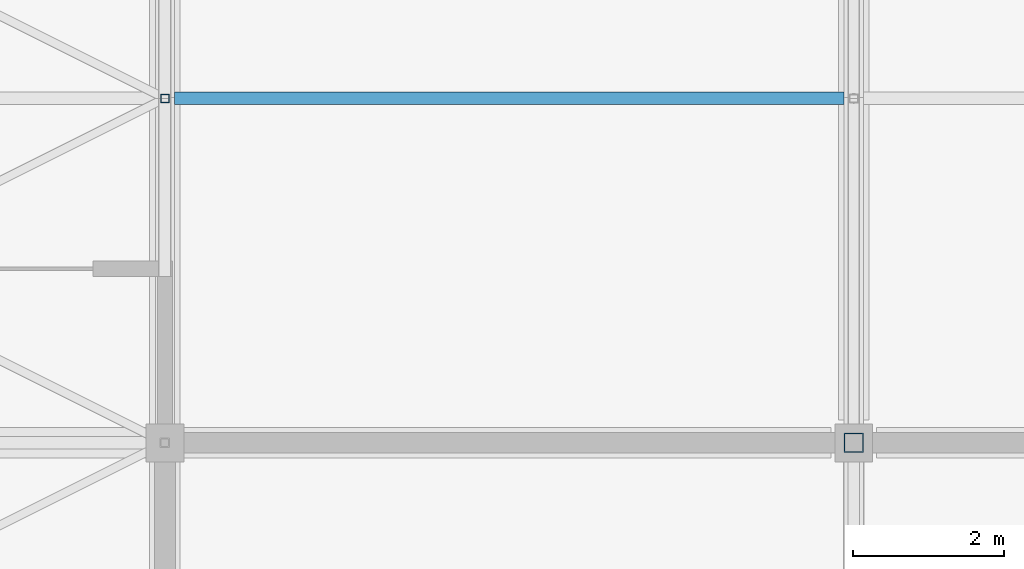
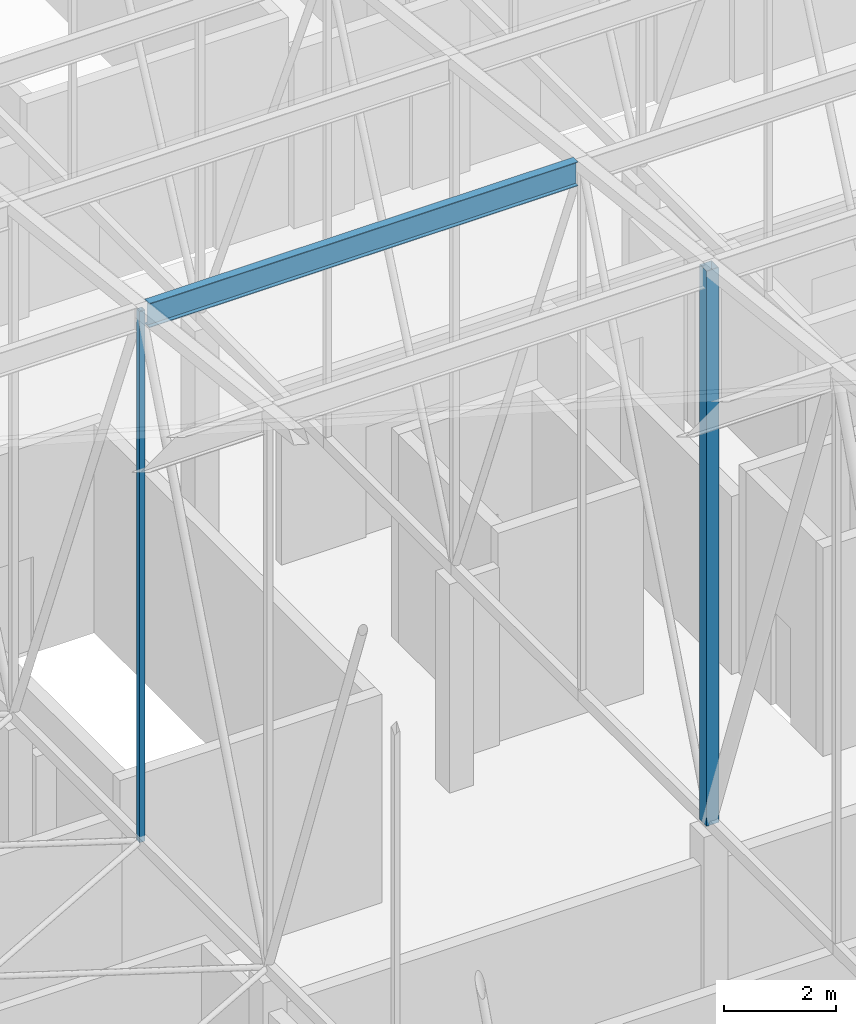
# One storey, part 185 of 500: 3 members.
"""IFC4 building model written with IfcOpenShell, lengths in metres."""

from ifc_helpers import new_model, si_unit, direction, frame, origin, origin_2d, place, context, subcontext, project, spatial, hollow_rectangle, i_section, extrude, material, material_profile, profile_set, type_object, element, save


model = new_model("IFC4")

# Units and contexts
model_context = context("Model", 3, precision=1e-05, world=origin(), true_north=direction((0.0, 1.0)))
body_context = subcontext(model_context, "Body", "Model", "MODEL_VIEW")
ifc_project = project(units=[si_unit("LENGTHUNIT", "METRE"), si_unit("AREAUNIT", "SQUARE_METRE"), si_unit("VOLUMEUNIT", "CUBIC_METRE"), si_unit("PLANEANGLEUNIT", "RADIAN"), si_unit("MASSUNIT", "GRAM", prefix="KILO")], contexts=[model_context])

# Site, building, storey
site_placement = place(None, origin())
site = spatial("IfcSite", under=ifc_project, at=site_placement, CompositionType="ELEMENT")
building_placement = place(site_placement, origin())
building = spatial("IfcBuilding", under=site, at=building_placement, Name="Shirokan Park Arena", CompositionType="ELEMENT")
storey_placement = place(building_placement, frame((0.0, 0.0, 29.1201171875)))
storey = spatial("IfcBuildingStorey", under=building, at=storey_placement, Name="L06", CompositionType="ELEMENT", Elevation=29.1201171875)

# Members
ifc_material_1 = material(Name="Steel ASTM A992", Category="steel")
ifc_material_profile_1 = material_profile(ifc_material_1, i_section(OverallWidth=0.166015625, OverallDepth=0.528076171875, WebThickness=0.009765625, FlangeThickness=0.013671875, at=origin_2d()), Name="W530X74")
ifc_profile_set_1 = profile_set([ifc_material_profile_1], Name="Steel ASTM A992")
member_type_1 = type_object("IfcMemberType", Name="Purlin W530X74", PredefinedType="PURLIN", material=ifc_profile_set_1)
member_1_placement = place(storey_placement, frame((9.22705078125, 77.35009765625, 16.1259765625), z_axis=(1.0, 0.0, 0.0), x_axis=(0.0, 1.0, 0.0)))
element("IfcMember", 1, at=member_1_placement, inside=storey, type_object=member_type_1, Name="Purlin 20 bay 2", PredefinedType="PURLIN", context=body_context, shape_type="SweptSolid", body=[
    extrude(i_section(OverallWidth=0.166015625, OverallDepth=0.528076171875, WebThickness=0.009765625, FlangeThickness=0.013671875, at=origin_2d()), origin(), (0.0, 0.0, 1.0), 8.845947265625),
])
ifc_material_2 = material(Name="Steel ASTM A500 Grade C", Category="steel")
ifc_material_profile_2 = material_profile(ifc_material_2, hollow_rectangle(XDim=0.114013671875, YDim=0.114013671875, WallThickness=0.00634765625, at=origin_2d()), Name="HSS114.3X114.3X6.4")
ifc_profile_set_2 = profile_set([ifc_material_profile_2], Name="Steel ASTM A500 Grade C")
member_type_2 = type_object("IfcMemberType", Name="Truss post HSS114.3X114.3X6.4", PredefinedType="POST", material=ifc_profile_set_2)
member_2_placement = place(storey_placement, frame((9.10009765625, 77.35009765625, 4.677001953125), z_axis=(0.0, 0.0, 1.0), x_axis=(1.0, 0.0, 0.0)))
element("IfcMember", 2, at=member_2_placement, inside=storey, type_object=member_type_2, Name="Truss T02 post 20", PredefinedType="POST", context=body_context, shape_type="SweptSolid", body=[
    extrude(hollow_rectangle(XDim=0.114013671875, YDim=0.114013671875, WallThickness=0.00634765625, at=origin_2d()), origin(), (0.0, 0.0, 1.0), 11.5859375),
])
ifc_material_profile_3 = material_profile(ifc_material_2, hollow_rectangle(XDim=0.25390625, YDim=0.25390625, WallThickness=0.009521484375, at=origin_2d()), Name="HSS254X254X9.5")
ifc_profile_set_3 = profile_set([ifc_material_profile_3], Name="Steel ASTM A500 Grade C")
member_type_3 = type_object("IfcMemberType", Name="Truss post HSS254X254X9.5", PredefinedType="POST", material=ifc_profile_set_3)
member_3_placement = place(storey_placement, frame((18.199951171875, 72.800048828125, 4.677001953125), z_axis=(0.0, 0.0, 1.0), x_axis=(1.0, 0.0, 0.0)))
element("IfcMember", 3, at=member_3_placement, inside=storey, type_object=member_type_3, Name="Truss T03 post 19", PredefinedType="POST", context=body_context, shape_type="SweptSolid", body=[
    extrude(hollow_rectangle(XDim=0.25390625, YDim=0.25390625, WallThickness=0.009521484375, at=origin_2d()), origin(), (0.0, 0.0, 1.0), 12.10595703125),
])

save(model, "model.ifc")
